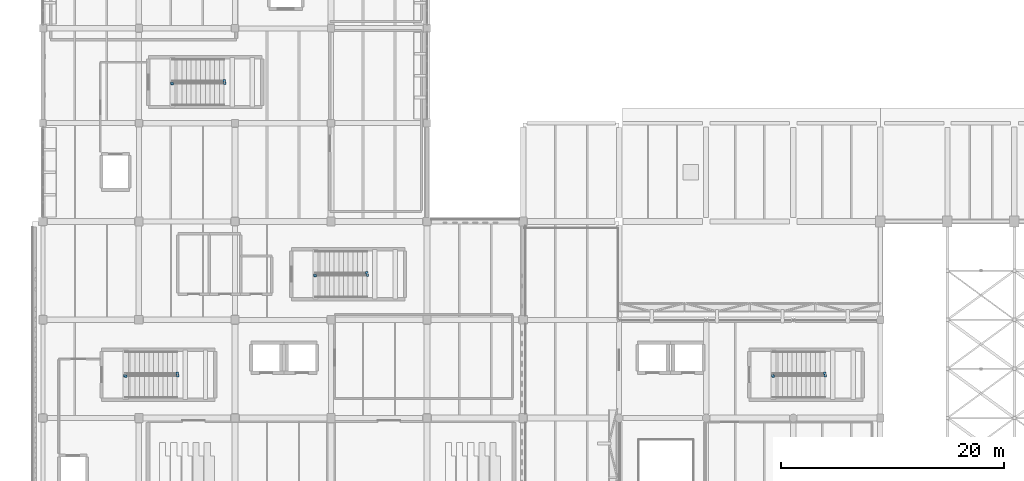
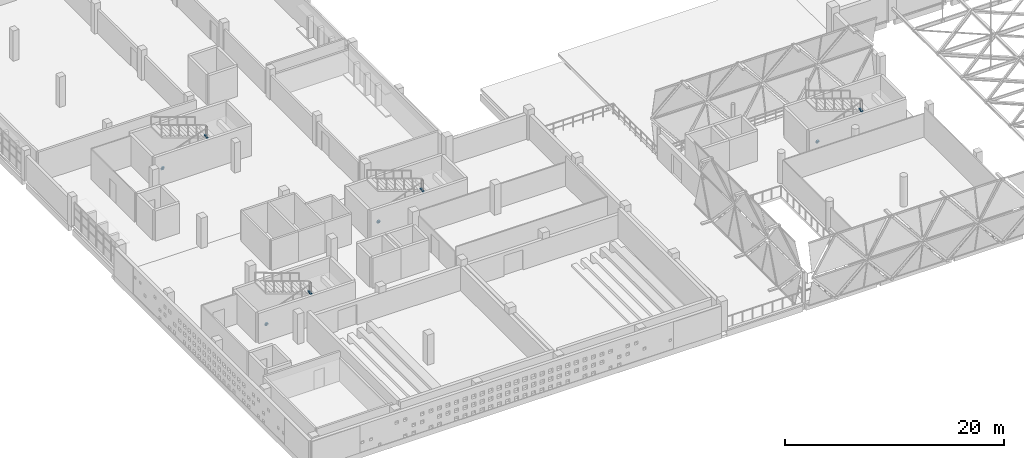
# One storey, part 84 of 93: 16 discrete accessories.
"""IFC4 building model written with IfcOpenShell, lengths in metres."""

from ifc_helpers import new_model, si_unit, direction, frame, origin, origin_2d, place, context, subcontext, project, spatial, rectangle, extrude, material, type_object, element, save


model = new_model("IFC4")

# Units and contexts
model_context = context("Model", 3, precision=1e-05, world=origin(), true_north=direction((0.0, 1.0)))
body_context = subcontext(model_context, "Body", "Model", "MODEL_VIEW")
ifc_project = project(units=[si_unit("LENGTHUNIT", "METRE"), si_unit("AREAUNIT", "SQUARE_METRE"), si_unit("VOLUMEUNIT", "CUBIC_METRE"), si_unit("PLANEANGLEUNIT", "RADIAN"), si_unit("MASSUNIT", "GRAM", prefix="KILO")], contexts=[model_context])

# Site, building, storey
site_placement = place(None, origin())
site = spatial("IfcSite", under=ifc_project, at=site_placement, CompositionType="ELEMENT")
building_placement = place(site_placement, origin())
building = spatial("IfcBuilding", under=site, at=building_placement, Name="Varnakota Cinema and Media Centre", CompositionType="ELEMENT")
storey_placement = place(building_placement, frame((0.0, 0.0, 12.0)))
storey = spatial("IfcBuildingStorey", under=building, at=storey_placement, Name="L03", CompositionType="ELEMENT", Elevation=12.0)

# Discrete accessories
ifc_material = material(Name="Structural steel Grade 350 (E350)", Category="steel")
discrete_accessory_type = type_object("IfcDiscreteAccessoryType", Name="ACC-BRACKET-SG", PredefinedType="BRACKET", material=ifc_material)
for number, where, z_axis, x_axis, name in (
    (1, (7.39990234375, 21.35009765625, 0.06005859375), (0.0, 0.0, 1.0), (1.0, 0.0, 0.0), "L03 stair guard base bracket ST-01-L03-G1"),
    (2, (12.070068359375, 21.39990234375, 1.7099609375), (0.0, 0.0, 1.0), (1.0, 0.0, 0.0), "L03 stair guard base bracket ST-01-L03-G2"),
    (3, (12.02001953125, 21.60009765625, 1.85986328125), (0.0, 0.0, 1.0), (1.0, 0.0, 0.0), "L03 stair guard base bracket ST-01-L03-G3"),
    (4, (7.35009765625, 21.39990234375, -0.08984375), (0.0, 0.0, 1.0), (1.0, 0.0, 0.0), "L03 stair guard base bracket ST-01-L03-G4"),
    (5, (24.39990234375, 30.35009765625, 0.06005859375), (0.0, 0.0, 1.0), (1.0, 0.0, 0.0), "L03 stair guard base bracket ST-02-L03-G1"),
    (6, (29.070068359375, 30.39990234375, 1.7099609375), (0.0, 0.0, 1.0), (1.0, 0.0, 0.0), "L03 stair guard base bracket ST-02-L03-G2"),
    (7, (29.02001953125, 30.60009765625, 1.85986328125), (0.0, 0.0, 1.0), (1.0, 0.0, 0.0), "L03 stair guard base bracket ST-02-L03-G3"),
    (8, (24.35009765625, 30.39990234375, -0.08984375), (0.0, 0.0, 1.0), (1.0, 0.0, 0.0), "L03 stair guard base bracket ST-02-L03-G4"),
    (9, (11.60009765625, 47.550048828125, 0.06005859375), (0.0, 0.0, 1.0), (1.0, 0.0, 0.0), "L03 stair guard base bracket ST-03-L03-G1"),
    (10, (16.27001953125, 47.60009765625, 1.7099609375), (0.0, 0.0, 1.0), (1.0, 0.0, 0.0), "L03 stair guard base bracket ST-03-L03-G2"),
    (11, (16.219970703125, 47.800048828125, 1.85986328125), (0.0, 0.0, 1.0), (1.0, 0.0, 0.0), "L03 stair guard base bracket ST-03-L03-G3"),
    (12, (11.550048828125, 47.60009765625, -0.08984375), (0.0, 0.0, 1.0), (1.0, 0.0, 0.0), "L03 stair guard base bracket ST-03-L03-G4"),
    (13, (65.39990234375, 21.35009765625, 0.06005859375), (0.0, 0.0, 1.0), (1.0, 0.0, 0.0), "L03 stair guard base bracket ST-04-L03-G1"),
    (14, (70.070068359375, 21.39990234375, 1.7099609375), (0.0, 0.0, 1.0), (1.0, 0.0, 0.0), "L03 stair guard base bracket ST-04-L03-G2"),
    (15, (70.02001953125, 21.60009765625, 1.85986328125), (0.0, 0.0, 1.0), (1.0, 0.0, 0.0), "L03 stair guard base bracket ST-04-L03-G3"),
    (16, (65.35009765625, 21.39990234375, -0.08984375), (0.0, 0.0, 1.0), (1.0, 0.0, 0.0), "L03 stair guard base bracket ST-04-L03-G4"),
):
    element("IfcDiscreteAccessory", number, at=place(storey_placement, frame(where, z_axis=z_axis, x_axis=x_axis)), inside=storey, type_object=discrete_accessory_type, Name=name, PredefinedType="BRACKET", context=body_context, shape_type="SweptSolid", body=[
        extrude(rectangle(XDim=0.219970703125, YDim=0.219970703125, at=origin_2d()), origin(), (0.0, 0.0, 1.0), 0.139892578125),
    ])

save(model, "model.ifc")
